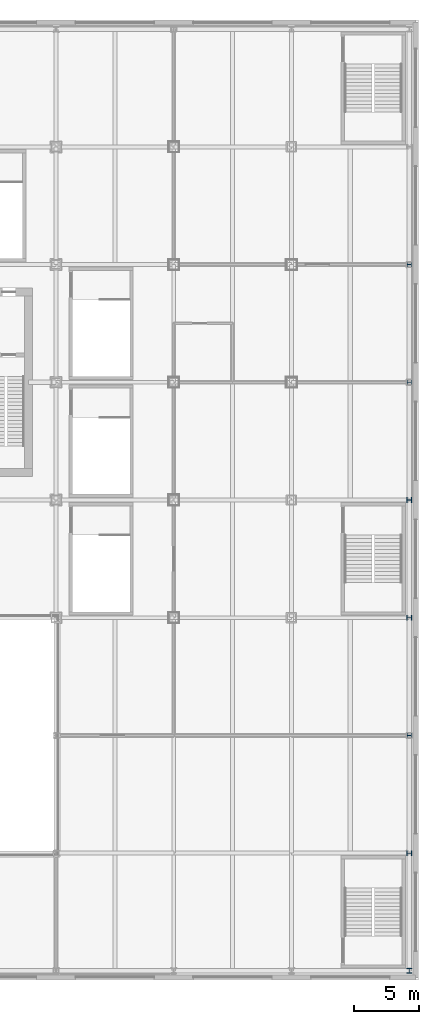
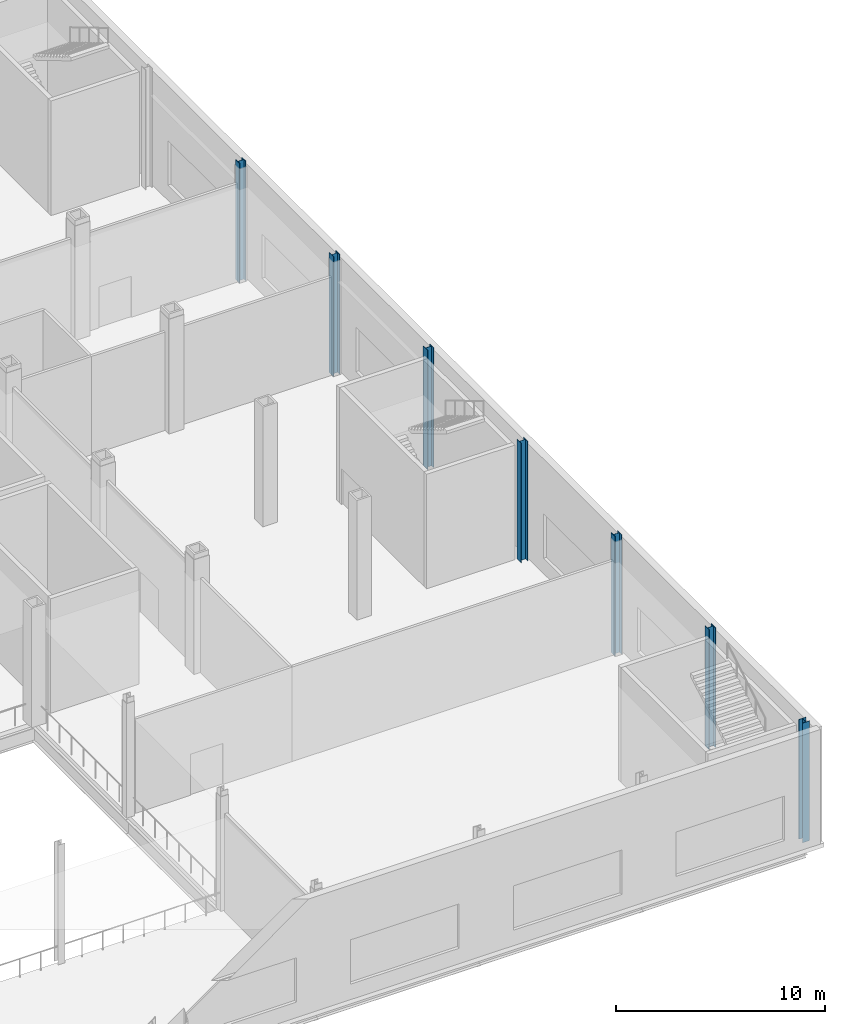
# One storey, part 5 of 32: 7 columns.
"""IFC4 building model written with IfcOpenShell, lengths in metres."""

from ifc_helpers import new_model, si_unit, direction, frame, origin, origin_2d, place, context, subcontext, project, spatial, i_section, extrude, material, material_profile, profile_set, type_object, element, save


model = new_model("IFC4")

# Units and contexts
model_context = context("Model", 3, precision=1e-05, world=origin(), true_north=direction((0.0, 1.0)))
body_context = subcontext(model_context, "Body", "Model", "MODEL_VIEW")
ifc_project = project(units=[si_unit("LENGTHUNIT", "METRE"), si_unit("AREAUNIT", "SQUARE_METRE"), si_unit("VOLUMEUNIT", "CUBIC_METRE"), si_unit("PLANEANGLEUNIT", "RADIAN"), si_unit("MASSUNIT", "GRAM", prefix="KILO")], contexts=[model_context])

# Site, building, storey
site_placement = place(None, origin())
site = spatial("IfcSite", under=ifc_project, at=site_placement, CompositionType="ELEMENT")
building_placement = place(site_placement, origin())
building = spatial("IfcBuilding", under=site, at=building_placement, Name="Loomwork Tower", CompositionType="ELEMENT")
storey_placement = place(building_placement, frame((0.0, 0.0, 16.0)))
storey = spatial("IfcBuildingStorey", under=building, at=storey_placement, Name="L03", CompositionType="ELEMENT", Elevation=16.0)

# Columns
ifc_material = material(Name="Steel ASTM A992", Category="steel")
ifc_material_profile = material_profile(ifc_material, i_section(OverallWidth=0.393798828125, OverallDepth=0.3759765625, WebThickness=0.017333984375, FlangeThickness=0.027587890625, at=origin_2d()), Name="W14x145")
ifc_profile_set = profile_set([ifc_material_profile], Name="Steel ASTM A992")
column_type = type_object("IfcColumnType", Name="PODIUM COLUMN W14x145", PredefinedType="COLUMN", material=ifc_profile_set)
for number, where, z_axis, x_axis, name in (
    (1, (63.0, -27.0, 0.0), (0.0, 0.0, 1.0), (1.0, 0.0, 0.0), "Podium Column A/9 L03"),
    (2, (63.0, -18.0, 0.0), (0.0, 0.0, 1.0), (0.0, 1.0, 0.0), "Podium Column B/9 L03"),
    (3, (63.0, -9.0, 0.0), (0.0, 0.0, 1.0), (0.0, 1.0, 0.0), "Podium Column C/9 L03"),
    (4, (63.0, 0.0, 0.0), (0.0, 0.0, 1.0), (0.0, 1.0, 0.0), "Podium Column D/9 L03"),
    (5, (63.0, 9.0, 0.0), (0.0, 0.0, 1.0), (0.0, 1.0, 0.0), "Podium Column E/9 L03"),
    (6, (63.0, 18.0, 0.0), (0.0, 0.0, 1.0), (0.0, 1.0, 0.0), "Podium Column F/9 L03"),
    (7, (63.0, 27.0, 0.0), (0.0, 0.0, 1.0), (0.0, 1.0, 0.0), "Podium Column G/9 L03"),
):
    element("IfcColumn", number, at=place(storey_placement, frame(where, z_axis=z_axis, x_axis=x_axis)), inside=storey, type_object=column_type, Name=name, PredefinedType="COLUMN", context=body_context, shape_type="SweptSolid", body=[
        extrude(i_section(OverallWidth=0.393798828125, OverallDepth=0.3759765625, WebThickness=0.017333984375, FlangeThickness=0.027587890625, at=origin_2d()), origin(), (0.0, 0.0, 1.0), 7.0),
    ])

save(model, "model.ifc")
